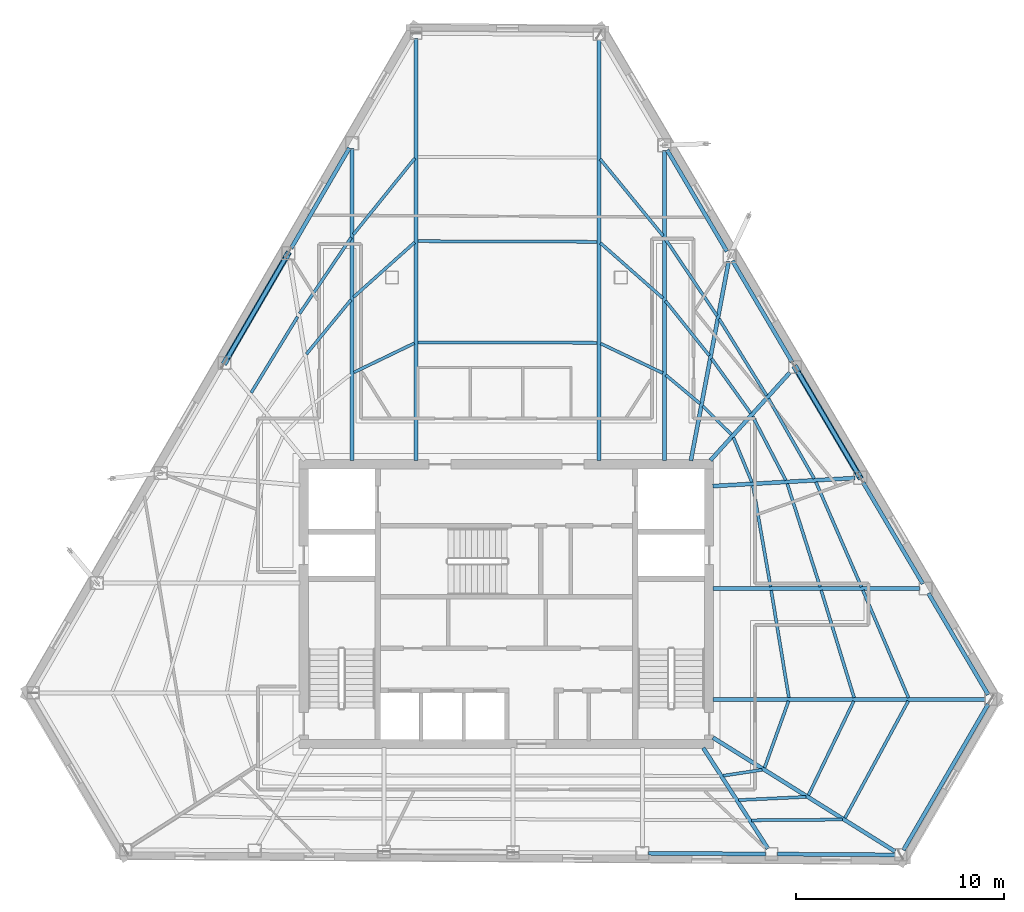
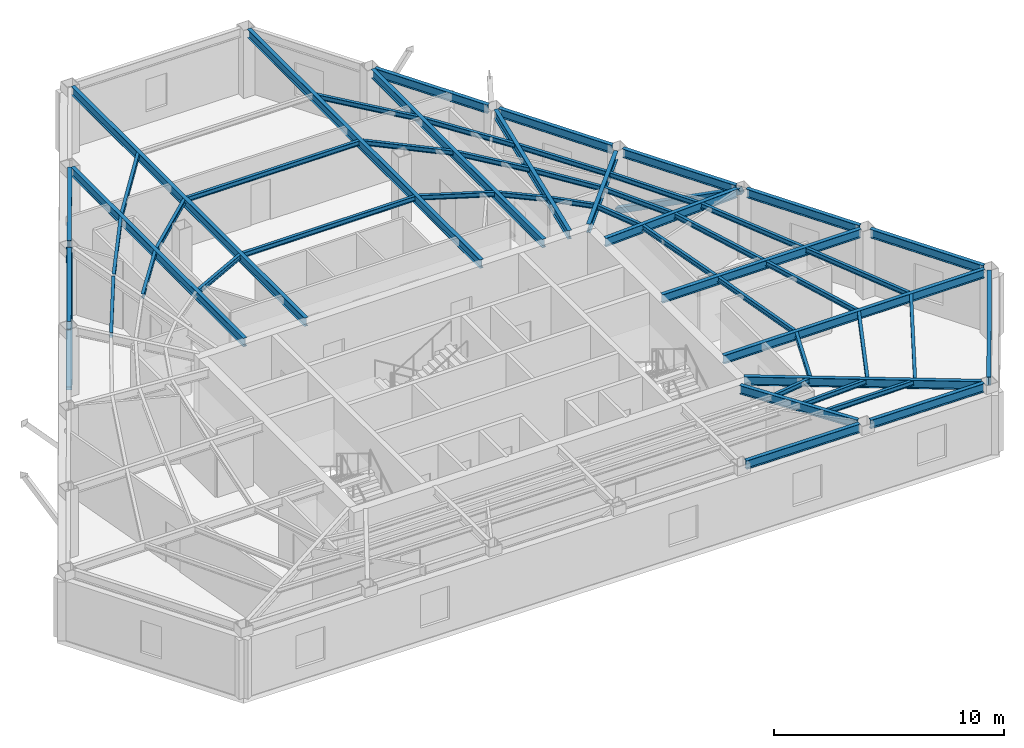
# One storey, part 2 of 11: 53 beams, 2 members.
"""IFC4 building model written with IfcOpenShell, lengths in metres."""

import ifcopenshell
import ifcopenshell.guid

model = None  # the IFC model being written
_history = None  # IfcOwnerHistory: only IFC2X3 demands one
_inside = {}  # id of a spatial element -> (the spatial element, [elements in it])
_under = {}  # id of a project, library or spatial element -> (it, [spatial elements below it])
_declared = {}  # id of a project -> (the project, [libraries it declares])
_typed = {}  # id of a type object -> (the type object, [elements of that type])
_made_of = {}  # id of a material, layer set ... -> (it, [elements and type objects made of it])


def new_model(schema):
    """Start an empty IFC model of exactly this schema.

    Asked for "IFC4X3", IfcOpenShell would pick the latest addendum, in which some entities
    have other attributes; the version numbers below select the first issue.
    IFC2X3 requires an IfcOwnerHistory on every rooted entity: one is made here for all.
    """
    global model, _history
    if schema == "IFC4X3":
        model = ifcopenshell.file(schema_version=(4, 3, 0, 0))
    else:
        model = ifcopenshell.file(schema=schema)
    _inside.clear()
    _under.clear()
    _declared.clear()
    _typed.clear()
    _made_of.clear()
    _history = None
    if model.schema == "IFC2X3":
        org = make("IfcOrganization", Name="unknown")
        user = make(
            "IfcPersonAndOrganization",
            ThePerson=make("IfcPerson", FamilyName="unknown"),
            TheOrganization=org,
        )
        app = make(
            "IfcApplication",
            ApplicationDeveloper=org,
            Version="unknown",
            ApplicationFullName="unknown",
            ApplicationIdentifier="unknown",
        )
        _history = make(
            "IfcOwnerHistory",
            OwningUser=user,
            OwningApplication=app,
            ChangeAction="ADDED",
            CreationDate=0,
        )
    return model


def make(cls, **values):
    """One entity of the class cls with the attributes given. An attribute that is None is left unset."""
    return model.create_entity(
        cls, **{name: value for name, value in values.items() if value is not None}
    )


def rooted(cls, **values):
    """An entity with a GlobalId (a new one), such as an element, a storey or a relation."""
    return make(cls, GlobalId=ifcopenshell.guid.new(), OwnerHistory=_history, **values)


def si_unit(unit_type, name, prefix=None):
    """IfcSIUnit, for example si_unit("LENGTHUNIT", "METRE", prefix="MILLI")."""
    return make("IfcSIUnit", UnitType=unit_type, Prefix=prefix, Name=name)


def assignment(units):
    """IfcUnitAssignment: the units of a project."""
    return None if units is None else make("IfcUnitAssignment", Units=units)


def point(xyz):
    """IfcCartesianPoint."""
    return None if xyz is None else make("IfcCartesianPoint", Coordinates=xyz)


def direction(xyz):
    """IfcDirection."""
    return None if xyz is None else make("IfcDirection", DirectionRatios=xyz)


def frame(location, z_axis=None, x_axis=None):
    """IfcAxis2Placement3D, a coordinate frame: its origin and axes. An axis left out is left unset."""
    return make(
        "IfcAxis2Placement3D",
        Location=point(location),
        Axis=direction(z_axis),
        RefDirection=direction(x_axis),
    )


def frame_2d(location, x_axis=None):
    """IfcAxis2Placement2D, a coordinate frame in the plane: its origin and x axis."""
    return make(
        "IfcAxis2Placement2D", Location=point(location), RefDirection=direction(x_axis)
    )


def origin():
    """The frame at (0, 0, 0) with its axes left unset."""
    return frame((0.0, 0.0, 0.0))


def origin_2d():
    """The frame at (0, 0) in the plane with its x axis left unset."""
    return frame_2d((0.0, 0.0))


def place(relative_to, where):
    """IfcLocalPlacement: puts the frame where relative to a parent placement (None: the world)."""
    return make(
        "IfcLocalPlacement", PlacementRelTo=relative_to, RelativePlacement=where
    )


def context(
    kind, dimensions, precision=None, world=None, true_north=None, identifier=None
):
    """IfcGeometricRepresentationContext, for example the 3D "Model" context."""
    return make(
        "IfcGeometricRepresentationContext",
        ContextIdentifier=identifier,
        ContextType=kind,
        CoordinateSpaceDimension=dimensions,
        Precision=precision,
        WorldCoordinateSystem=world,
        TrueNorth=true_north,
    )


def subcontext(parent, identifier, kind, view, scale=None):
    """IfcGeometricRepresentationSubContext, for example "Body" below "Model"."""
    return make(
        "IfcGeometricRepresentationSubContext",
        ContextIdentifier=identifier,
        ContextType=kind,
        ParentContext=parent,
        TargetScale=scale,
        TargetView=view,
    )


def project(units=None, contexts=None):
    """IfcProject with its units and contexts."""
    return rooted(
        "IfcProject",
        Name="project",
        RepresentationContexts=contexts,
        UnitsInContext=assignment(units),
    )


def spatial(cls, under=None, at=None, **own):
    """A site, building, storey or space (cls), placed at a placement, below another one or the project."""
    s = rooted(cls, ObjectPlacement=at, **own)
    if under is not None:
        _under.setdefault(under.id(), (under, []))[1].append(s)
    return s


def profile(cls, at=None, kind="AREA", **sizes):
    """A parametric profile (cls). Its sizes go by their IFC names, for example OverallWidth=200.0."""
    return make(cls, ProfileType=kind, Position=at, **sizes)


def hollow_rectangle(**sizes):
    """IfcRectangleHollowProfileDef."""
    return profile("IfcRectangleHollowProfileDef", **sizes)


def i_section(**sizes):
    """IfcIShapeProfileDef."""
    return profile("IfcIShapeProfileDef", **sizes)


def extrude(swept, where, along, depth):
    """IfcExtrudedAreaSolid: the profile swept, set in the frame where, extruded along a direction by depth."""
    return make(
        "IfcExtrudedAreaSolid",
        SweptArea=swept,
        Position=where,
        ExtrudedDirection=direction(along),
        Depth=depth,
    )


def shape(context_of_items, identifier, shape_type, items):
    """IfcShapeRepresentation: the items that make up one representation, for example the "Body"."""
    return make(
        "IfcShapeRepresentation",
        ContextOfItems=context_of_items,
        RepresentationIdentifier=identifier,
        RepresentationType=shape_type,
        Items=items,
    )


def material(Name=None, Category=None):
    """IfcMaterial."""
    return make("IfcMaterial", Name=Name, Category=Category)


def material_profile(
    of_material, cross_section, Name=None, Category=None, Priority=None
):
    """IfcMaterialProfile: a cross section and its material."""
    return make(
        "IfcMaterialProfile",
        Name=Name,
        Material=of_material,
        Profile=cross_section,
        Priority=Priority,
        Category=Category,
    )


def profile_set(profiles, Name=None, composite=None):
    """IfcMaterialProfileSet."""
    return make(
        "IfcMaterialProfileSet",
        Name=Name,
        MaterialProfiles=profiles,
        CompositeProfile=composite,
    )


def made_of(thing, what):
    """Note that an element or type object is made of a material, layer set ...; save() writes the relation."""
    if what is not None:
        _made_of.setdefault(what.id(), (what, []))[1].append(thing)
    return thing


def type_object(cls, material=None, **own):
    """A type object (cls), such as IfcWallType, which elements share."""
    return made_of(rooted(cls, **own), material)


def element(
    cls,
    number,
    at=None,
    inside=None,
    cuts=None,
    type_object=None,
    material=None,
    context=None,
    identifier="Body",
    shape_type=None,
    held_by="IfcProductDefinitionShape",
    body=None,
    shapes=None,
    **own,
):
    """One element of the class cls, such as IfcWall. Its Tag is "e" and its number.

    at: its placement. inside: the storey or other place that contains it. cuts: it is an
    opening in that element (IfcRelVoidsElement). A single representation is given by context,
    identifier, shape_type and body (its items); several are given by shapes. held_by: the class
    of the entity that holds the representations. save() writes the other relations.
    """
    e = rooted(cls, Tag="e%d" % number, ObjectPlacement=at, **own)
    if body is not None:
        shapes = [shape(context, identifier, shape_type, body)]
    if shapes is not None:
        e.Representation = make(held_by, Representations=shapes)
    if inside is not None:
        _inside.setdefault(inside.id(), (inside, []))[1].append(e)
    if cuts is not None:
        rooted(
            "IfcRelVoidsElement", RelatingBuildingElement=cuts, RelatedOpeningElement=e
        )
    if type_object is not None:
        _typed.setdefault(type_object.id(), (type_object, []))[1].append(e)
    return made_of(e, material)


def aggregate(whole, parts):
    """IfcRelAggregates: a whole, such as a stair, and the parts it consists of."""
    return rooted("IfcRelAggregates", RelatingObject=whole, RelatedObjects=parts)


def save(model, path):
    """Write the relations noted so far, then the file.

    IfcRelAggregates (storeys below a building ...), IfcRelContainedInSpatialStructure (elements
    in a storey), IfcRelDefinesByType, IfcRelAssociatesMaterial and IfcRelDeclares: one each for
    every whole, place, type object, material and project.
    """
    for whole, parts in _under.values():
        aggregate(whole, parts)
    for where, things in _inside.values():
        rooted(
            "IfcRelContainedInSpatialStructure",
            RelatedElements=things,
            RelatingStructure=where,
        )
    for kind, things in _typed.values():
        rooted("IfcRelDefinesByType", RelatedObjects=things, RelatingType=kind)
    for what, things in _made_of.values():
        rooted("IfcRelAssociatesMaterial", RelatedObjects=things, RelatingMaterial=what)
    for by, libraries in _declared.values():
        rooted("IfcRelDeclares", RelatingContext=by, RelatedDefinitions=libraries)
    model.write(path)


model = new_model("IFC4")

# Units and contexts
model_context = context("Model", 3, precision=1e-05, world=origin(), true_north=direction((0.0, 1.0)))
body_context = subcontext(model_context, "Body", "Model", "MODEL_VIEW")
ifc_project = project(units=[si_unit("LENGTHUNIT", "METRE"), si_unit("AREAUNIT", "SQUARE_METRE"), si_unit("VOLUMEUNIT", "CUBIC_METRE"), si_unit("PLANEANGLEUNIT", "RADIAN"), si_unit("MASSUNIT", "GRAM", prefix="KILO")], contexts=[model_context])

# Site, building, storey
site_placement = place(None, origin())
site = spatial("IfcSite", under=ifc_project, at=site_placement, CompositionType="ELEMENT")
building_placement = place(site_placement, origin())
building = spatial("IfcBuilding", under=site, at=building_placement, Name="Kavelnor Concourse Tower", CompositionType="ELEMENT")
storey_placement = place(building_placement, frame((0.0, 0.0, 195.800048828125)))
storey = spatial("IfcBuildingStorey", under=building, at=storey_placement, Name="L49", CompositionType="ELEMENT", Elevation=195.800048828125)

# Beams
ifc_material = material(Name="Steel Grade 350", Category="steel")
ifc_material_profile_1 = material_profile(ifc_material, i_section(OverallWidth=0.14599609375, OverallDepth=0.256103515625, WebThickness=0.00634765625, FlangeThickness=0.010986328125, at=origin_2d()), Name="250UB37")
ifc_profile_set_1 = profile_set([ifc_material_profile_1], Name="Steel Grade 350")
beam_type_1 = type_object("IfcBeamType", Name="BM-JOIST-250", PredefinedType="JOIST", material=ifc_profile_set_1)
beam_1_placement = place(storey_placement, frame((48.41748046875, 7.852294921875, 3.471923828125), z_axis=(0.988484671051, 0.151321033227, 0.0), x_axis=(-0.151321033227, 0.988484671051, 0.0)))
element("IfcBeam", 1, at=beam_1_placement, inside=storey, type_object=beam_type_1, Name="L49 Secondary Composite Joist 07-1", PredefinedType="JOIST", context=body_context, shape_type="SweptSolid", body=[
    extrude(i_section(OverallWidth=0.14599609375, OverallDepth=0.256103515625, WebThickness=0.00634765625, FlangeThickness=0.010986328125, at=origin_2d()), origin(), (0.0, 0.0, 1.0), 1.89404296875),
])
beam_2_placement = place(storey_placement, frame((49.16455078125, 6.681640625, 3.471923828125), z_axis=(0.998865056782, 0.04762980516, 0.0), x_axis=(-0.04762980516, 0.998865056782, 0.0)))
element("IfcBeam", 2, at=beam_2_placement, inside=storey, type_object=beam_type_1, Name="L49 Secondary Composite Joist 07-2", PredefinedType="JOIST", context=body_context, shape_type="SweptSolid", body=[
    extrude(i_section(OverallWidth=0.14599609375, OverallDepth=0.256103515625, WebThickness=0.00634765625, FlangeThickness=0.010986328125, at=origin_2d()), origin(), (0.0, 0.0, 1.0), 3.229248046875),
])
beam_3_placement = place(storey_placement, frame((49.78662109375, 5.71044921875, 3.471923828125), z_axis=(0.99996875761, 0.007904669778, 0.0), x_axis=(-0.007904669778, 0.99996875761, 0.0)))
element("IfcBeam", 3, at=beam_3_placement, inside=storey, type_object=beam_type_1, Name="L49 Secondary Composite Joist 07-3", PredefinedType="JOIST", context=body_context, shape_type="SweptSolid", body=[
    extrude(i_section(OverallWidth=0.14599609375, OverallDepth=0.256103515625, WebThickness=0.00634765625, FlangeThickness=0.010986328125, at=origin_2d()), origin(), (0.0, 0.0, 1.0), 4.35498046875),
])
beam_4_placement = place(storey_placement, frame((50.407958984375, 8.236083984375, 3.471923828125), z_axis=(0.338498474692, 0.940966940244, 0.0), x_axis=(-0.940966940244, 0.338498474692, 0.0)))
element("IfcBeam", 4, at=beam_4_placement, inside=storey, type_object=beam_type_1, Name="L49 Secondary Composite Joist 08-1", PredefinedType="JOIST", context=body_context, shape_type="SweptSolid", body=[
    extrude(i_section(OverallWidth=0.14599609375, OverallDepth=0.256103515625, WebThickness=0.00634765625, FlangeThickness=0.010986328125, at=origin_2d()), origin(), (0.0, 0.0, 1.0), 3.403564453125),
])
beam_5_placement = place(storey_placement, frame((52.517822265625, 6.919921875, 3.471923828125), z_axis=(0.434191373065, 0.90082065449, 0.0), x_axis=(-0.90082065449, 0.434191373065, 0.0)))
element("IfcBeam", 5, at=beam_5_placement, inside=storey, type_object=beam_type_1, Name="L49 Secondary Composite Joist 08-2", PredefinedType="JOIST", context=body_context, shape_type="SweptSolid", body=[
    extrude(i_section(OverallWidth=0.14599609375, OverallDepth=0.256103515625, WebThickness=0.00634765625, FlangeThickness=0.010986328125, at=origin_2d()), origin(), (0.0, 0.0, 1.0), 5.02001953125),
])
beam_6_placement = place(storey_placement, frame((54.272705078125, 5.823974609375, 3.471923828125), z_axis=(0.476071460594, 0.879406597887, 0.0), x_axis=(-0.879406597887, 0.476071460594, 0.0)))
element("IfcBeam", 6, at=beam_6_placement, inside=storey, type_object=beam_type_1, Name="L49 Secondary Composite Joist 08-3", PredefinedType="JOIST", context=body_context, shape_type="SweptSolid", body=[
    extrude(i_section(OverallWidth=0.14599609375, OverallDepth=0.256103515625, WebThickness=0.00634765625, FlangeThickness=0.010986328125, at=origin_2d()), origin(), (0.0, 0.0, 1.0), 6.390869140625),
])
beam_7_placement = place(storey_placement, frame((51.57568359375, 11.610107421875, 3.471923828125), z_axis=(-0.162836569289, 0.986653055386, 0.0), x_axis=(-0.986653055386, -0.162836569289, 0.0)))
element("IfcBeam", 7, at=beam_7_placement, inside=storey, type_object=beam_type_1, Name="L49 Secondary Composite Joist 09-1", PredefinedType="JOIST", context=body_context, shape_type="SweptSolid", body=[
    extrude(i_section(OverallWidth=0.14599609375, OverallDepth=0.256103515625, WebThickness=0.00634765625, FlangeThickness=0.010986328125, at=origin_2d()), origin(), (0.0, 0.0, 1.0), 5.220458984375),
])
beam_8_placement = place(storey_placement, frame((54.7099609375, 11.607421875, 3.471923828125), z_axis=(-0.293032714628, 0.956102415099, 0.0), x_axis=(-0.956102415099, -0.293032714628, 0.0)))
element("IfcBeam", 8, at=beam_8_placement, inside=storey, type_object=beam_type_1, Name="L49 Secondary Composite Joist 09-2", PredefinedType="JOIST", context=body_context, shape_type="SweptSolid", body=[
    extrude(i_section(OverallWidth=0.14599609375, OverallDepth=0.256103515625, WebThickness=0.00634765625, FlangeThickness=0.010986328125, at=origin_2d()), origin(), (0.0, 0.0, 1.0), 5.39306640625),
])
beam_9_placement = place(storey_placement, frame((57.32275390625, 11.604248046875, 3.471923828125), z_axis=(-0.390622513734, 0.920550950119, 0.0), x_axis=(-0.920550950119, -0.390622513734, 0.0)))
element("IfcBeam", 9, at=beam_9_placement, inside=storey, type_object=beam_type_1, Name="L49 Secondary Composite Joist 09-3", PredefinedType="JOIST", context=body_context, shape_type="SweptSolid", body=[
    extrude(i_section(OverallWidth=0.14599609375, OverallDepth=0.256103515625, WebThickness=0.00634765625, FlangeThickness=0.010986328125, at=origin_2d()), origin(), (0.0, 0.0, 1.0), 5.608154296875),
])
beam_10_placement = place(storey_placement, frame((50.69580078125, 16.936279296875, 3.471923828125), z_axis=(-0.172036864506, 0.985090512212, 0.0), x_axis=(-0.985090512212, -0.172036864506, 0.0)))
element("IfcBeam", 10, at=beam_10_placement, inside=storey, type_object=beam_type_1, Name="L49 Secondary Composite Joist 10-1", PredefinedType="JOIST", context=body_context, shape_type="SweptSolid", body=[
    extrude(i_section(OverallWidth=0.14599609375, OverallDepth=0.256103515625, WebThickness=0.00634765625, FlangeThickness=0.010986328125, at=origin_2d()), origin(), (0.0, 0.0, 1.0), 4.931396484375),
])
beam_11_placement = place(storey_placement, frame((53.07666015625, 16.93359375, 3.471923828125), z_axis=(-0.303484552269, 0.952836358739, 0.0), x_axis=(-0.952836358739, -0.303484552269, 0.0)))
element("IfcBeam", 11, at=beam_11_placement, inside=storey, type_object=beam_type_1, Name="L49 Secondary Composite Joist 10-2", PredefinedType="JOIST", context=body_context, shape_type="SweptSolid", body=[
    extrude(i_section(OverallWidth=0.14599609375, OverallDepth=0.256103515625, WebThickness=0.00634765625, FlangeThickness=0.010986328125, at=origin_2d()), origin(), (0.0, 0.0, 1.0), 5.20166015625),
])
beam_12_placement = place(storey_placement, frame((55.061767578125, 16.930419921875, 3.471923828125), z_axis=(-0.398440163585, 0.917194328396, 0.0), x_axis=(-0.917194328396, -0.398440163585, 0.0)))
element("IfcBeam", 12, at=beam_12_placement, inside=storey, type_object=beam_type_1, Name="L49 Secondary Composite Joist 10-3", PredefinedType="JOIST", context=body_context, shape_type="SweptSolid", body=[
    extrude(i_section(OverallWidth=0.14599609375, OverallDepth=0.256103515625, WebThickness=0.00634765625, FlangeThickness=0.010986328125, at=origin_2d()), origin(), (0.0, 0.0, 1.0), 5.4951171875),
])
beam_13_placement = place(storey_placement, frame((49.798095703125, 21.964111328125, 3.471923828125), z_axis=(-0.382726229306, 0.923861804277, 0.0), x_axis=(-0.923861804277, -0.382726229306, 0.0)))
element("IfcBeam", 13, at=beam_13_placement, inside=storey, type_object=beam_type_1, Name="L49 Secondary Composite Joist 11-1", PredefinedType="JOIST", context=body_context, shape_type="SweptSolid", body=[
    extrude(i_section(OverallWidth=0.14599609375, OverallDepth=0.256103515625, WebThickness=0.00634765625, FlangeThickness=0.010986328125, at=origin_2d()), origin(), (0.0, 0.0, 1.0), 2.322509765625),
])
beam_14_placement = place(storey_placement, frame((51.429931640625, 22.0537109375, 3.471923828125), z_axis=(-0.461175132199, 0.887309132964, 0.0), x_axis=(-0.887309132964, -0.461175132199, 0.0)))
element("IfcBeam", 14, at=beam_14_placement, inside=storey, type_object=beam_type_1, Name="L49 Secondary Composite Joist 11-2", PredefinedType="JOIST", context=body_context, shape_type="SweptSolid", body=[
    extrude(i_section(OverallWidth=0.14599609375, OverallDepth=0.256103515625, WebThickness=0.00634765625, FlangeThickness=0.010986328125, at=origin_2d()), origin(), (0.0, 0.0, 1.0), 3.462646484375),
])
beam_15_placement = place(storey_placement, frame((52.792724609375, 22.12939453125, 3.471923828125), z_axis=(-0.49565155399, 0.868521466071, 0.0), x_axis=(-0.868521466071, -0.49565155399, 0.0)))
element("IfcBeam", 15, at=beam_15_placement, inside=storey, type_object=beam_type_1, Name="L49 Secondary Composite Joist 11-3", PredefinedType="JOIST", context=body_context, shape_type="SweptSolid", body=[
    extrude(i_section(OverallWidth=0.14599609375, OverallDepth=0.256103515625, WebThickness=0.00634765625, FlangeThickness=0.010986328125, at=origin_2d()), origin(), (0.0, 0.0, 1.0), 4.42431640625),
])
beam_16_placement = place(storey_placement, frame((48.81201171875, 24.254638671875, 3.471923828125), z_axis=(-0.710191652831, 0.704008392172, 0.0), x_axis=(-0.704008392172, -0.710191652831, 0.0)))
element("IfcBeam", 16, at=beam_16_placement, inside=storey, type_object=beam_type_1, Name="L49 Secondary Composite Joist 12-1", PredefinedType="JOIST", context=body_context, shape_type="SweptSolid", body=[
    extrude(i_section(OverallWidth=0.14599609375, OverallDepth=0.256103515625, WebThickness=0.00634765625, FlangeThickness=0.010986328125, at=origin_2d()), origin(), (0.0, 0.0, 1.0), 1.934814453125),
])
beam_17_placement = place(storey_placement, frame((49.739990234375, 25.27734375, 3.471923828125), z_axis=(-0.581853321385, 0.813293742994, 0.0), x_axis=(-0.813293742994, -0.581853321385, 0.0)))
element("IfcBeam", 17, at=beam_17_placement, inside=storey, type_object=beam_type_1, Name="L49 Secondary Composite Joist 12-2", PredefinedType="JOIST", context=body_context, shape_type="SweptSolid", body=[
    extrude(i_section(OverallWidth=0.14599609375, OverallDepth=0.256103515625, WebThickness=0.00634765625, FlangeThickness=0.010986328125, at=origin_2d()), origin(), (0.0, 0.0, 1.0), 3.22802734375),
])
beam_18_placement = place(storey_placement, frame((50.5087890625, 26.124755859375, 3.471923828125), z_axis=(-0.527316656291, 0.849668843726, 0.0), x_axis=(-0.849668843726, -0.527316656291, 0.0)))
element("IfcBeam", 18, at=beam_18_placement, inside=storey, type_object=beam_type_1, Name="L49 Secondary Composite Joist 12-3", PredefinedType="JOIST", context=body_context, shape_type="SweptSolid", body=[
    extrude(i_section(OverallWidth=0.14599609375, OverallDepth=0.256103515625, WebThickness=0.00634765625, FlangeThickness=0.010986328125, at=origin_2d()), origin(), (0.0, 0.0, 1.0), 4.340576171875),
])
beam_19_placement = place(storey_placement, frame((47.306396484375, 25.736328125, 3.471923828125), z_axis=(-0.767241678804, 0.641358095221, 0.0), x_axis=(-0.641358095221, -0.767241678804, 0.0)))
element("IfcBeam", 19, at=beam_19_placement, inside=storey, type_object=beam_type_1, Name="L49 Secondary Composite Joist 13-1", PredefinedType="JOIST", context=body_context, shape_type="SweptSolid", body=[
    extrude(i_section(OverallWidth=0.14599609375, OverallDepth=0.256103515625, WebThickness=0.00634765625, FlangeThickness=0.010986328125, at=origin_2d()), origin(), (0.0, 0.0, 1.0), 2.14697265625),
])
beam_20_placement = place(storey_placement, frame((47.75439453125, 28.044677734375, 3.471923828125), z_axis=(-0.625313109654, 0.780373958365, 0.0), x_axis=(-0.780373958365, -0.625313109654, 0.0)))
element("IfcBeam", 20, at=beam_20_placement, inside=storey, type_object=beam_type_1, Name="L49 Secondary Composite Joist 13-2", PredefinedType="JOIST", context=body_context, shape_type="SweptSolid", body=[
    extrude(i_section(OverallWidth=0.14599609375, OverallDepth=0.256103515625, WebThickness=0.00634765625, FlangeThickness=0.010986328125, at=origin_2d()), origin(), (0.0, 0.0, 1.0), 3.370849609375),
])
beam_21_placement = place(storey_placement, frame((48.123291015625, 29.962158203125, 3.471923828125), z_axis=(-0.558458497857, 0.829532462398, 0.0), x_axis=(-0.829532462398, -0.558458497857, 0.0)))
element("IfcBeam", 21, at=beam_21_placement, inside=storey, type_object=beam_type_1, Name="L49 Secondary Composite Joist 13-3", PredefinedType="JOIST", context=body_context, shape_type="SweptSolid", body=[
    extrude(i_section(OverallWidth=0.14599609375, OverallDepth=0.256103515625, WebThickness=0.00634765625, FlangeThickness=0.010986328125, at=origin_2d()), origin(), (0.0, 0.0, 1.0), 4.445556640625),
])
beam_22_placement = place(storey_placement, frame((45.510498046875, 27.20849609375, 3.471923828125), z_axis=(-0.903248808832, 0.429117220983, 0.0), x_axis=(-0.429117220983, -0.903248808832, 0.0)))
element("IfcBeam", 22, at=beam_22_placement, inside=storey, type_object=beam_type_1, Name="L49 Secondary Composite Joist 14-1", PredefinedType="JOIST", context=body_context, shape_type="SweptSolid", body=[
    extrude(i_section(OverallWidth=0.14599609375, OverallDepth=0.256103515625, WebThickness=0.00634765625, FlangeThickness=0.010986328125, at=origin_2d()), origin(), (0.0, 0.0, 1.0), 3.297607421875),
])
beam_23_placement = place(storey_placement, frame((45.524169921875, 30.8037109375, 3.471923828125), z_axis=(-0.749884066839, 0.661569260396, 0.0), x_axis=(-0.661569260396, -0.749884066839, 0.0)))
element("IfcBeam", 23, at=beam_23_placement, inside=storey, type_object=beam_type_1, Name="L49 Secondary Composite Joist 14-2", PredefinedType="JOIST", context=body_context, shape_type="SweptSolid", body=[
    extrude(i_section(OverallWidth=0.14599609375, OverallDepth=0.256103515625, WebThickness=0.00634765625, FlangeThickness=0.010986328125, at=origin_2d()), origin(), (0.0, 0.0, 1.0), 4.008544921875),
])
beam_24_placement = place(storey_placement, frame((45.534423828125, 33.79248046875, 3.471923828125), z_axis=(-0.633435323407, 0.77379563908, 0.0), x_axis=(-0.77379563908, -0.633435323407, 0.0)))
element("IfcBeam", 24, at=beam_24_placement, inside=storey, type_object=beam_type_1, Name="L49 Secondary Composite Joist 14-3", PredefinedType="JOIST", context=body_context, shape_type="SweptSolid", body=[
    extrude(i_section(OverallWidth=0.14599609375, OverallDepth=0.256103515625, WebThickness=0.00634765625, FlangeThickness=0.010986328125, at=origin_2d()), origin(), (0.0, 0.0, 1.0), 4.778076171875),
])
for number, where, z_axis, x_axis, name in (
    (25, (42.362548828125, 28.661865234375, 3.471923828125), (-0.999998356649, 0.001812925467, 0.0), (-0.001812925467, -0.999998356649, 0.0), "L49 Secondary Composite Joist 15-1"),
    (26, (42.362548828125, 33.514892578125, 3.471923828125), (-0.999994222631, 0.003399221198, 0.0), (-0.003399221198, -0.999994222631, 0.0), "L49 Secondary Composite Joist 15-2"),
):
    element("IfcBeam", number, at=place(storey_placement, frame(where, z_axis=z_axis, x_axis=x_axis)), inside=storey, type_object=beam_type_1, Name=name, PredefinedType="JOIST", context=body_context, shape_type="SweptSolid", body=[
        extrude(i_section(OverallWidth=0.14599609375, OverallDepth=0.256103515625, WebThickness=0.00634765625, FlangeThickness=0.010986328125, at=origin_2d()), origin(), (0.0, 0.0, 1.0), 8.61865234375),
    ])
beam_25_placement = place(storey_placement, frame((33.57470703125, 28.63916015625, 3.471923828125), z_axis=(-0.900734334697, -0.434370416002, 0.0), x_axis=(0.434370416002, -0.900734334697, 0.0)))
element("IfcBeam", 27, at=beam_25_placement, inside=storey, type_object=beam_type_1, Name="L49 Secondary Composite Joist 16-1", PredefinedType="JOIST", context=body_context, shape_type="SweptSolid", body=[
    extrude(i_section(OverallWidth=0.14599609375, OverallDepth=0.256103515625, WebThickness=0.00634765625, FlangeThickness=0.010986328125, at=origin_2d()), origin(), (0.0, 0.0, 1.0), 3.227783203125),
])
beam_26_placement = place(storey_placement, frame((33.58837890625, 33.485107421875, 3.471923828125), z_axis=(-0.744887939325, -0.667189596627, 0.0), x_axis=(0.667189596627, -0.744887939325, 0.0)))
element("IfcBeam", 28, at=beam_26_placement, inside=storey, type_object=beam_type_1, Name="L49 Secondary Composite Joist 16-2", PredefinedType="JOIST", context=body_context, shape_type="SweptSolid", body=[
    extrude(i_section(OverallWidth=0.14599609375, OverallDepth=0.256103515625, WebThickness=0.00634765625, FlangeThickness=0.010986328125, at=origin_2d()), origin(), (0.0, 0.0, 1.0), 3.940185546875),
])
beam_27_placement = place(storey_placement, frame((33.598876953125, 37.53076171875, 3.471923828125), z_axis=(-0.627725090597, -0.778435103676, 0.0), x_axis=(0.778435103676, -0.627725090597, 0.0)))
element("IfcBeam", 29, at=beam_27_placement, inside=storey, type_object=beam_type_1, Name="L49 Secondary Composite Joist 16-3", PredefinedType="JOIST", context=body_context, shape_type="SweptSolid", body=[
    extrude(i_section(OverallWidth=0.14599609375, OverallDepth=0.256103515625, WebThickness=0.00634765625, FlangeThickness=0.010986328125, at=origin_2d()), origin(), (0.0, 0.0, 1.0), 4.709228515625),
])
beam_28_placement = place(storey_placement, frame((30.530517578125, 30.72802734375, 3.471923828125), z_axis=(-0.634477260198, -0.772941528378, 0.0), x_axis=(0.772941528378, -0.634477260198, 0.0)))
element("IfcBeam", 30, at=beam_28_placement, inside=storey, type_object=beam_type_1, Name="L49 Secondary Composite Joist 17-2", PredefinedType="JOIST", context=body_context, shape_type="SweptSolid", body=[
    extrude(i_section(OverallWidth=0.14599609375, OverallDepth=0.256103515625, WebThickness=0.00634765625, FlangeThickness=0.010986328125, at=origin_2d()), origin(), (0.0, 0.0, 1.0), 3.37646484375),
])
beam_29_placement = place(storey_placement, frame((30.537109375, 33.72216796875, 3.471923828125), z_axis=(-0.5606305619, -0.828066043902, 0.0), x_axis=(0.828066043902, -0.5606305619, 0.0)))
element("IfcBeam", 31, at=beam_29_placement, inside=storey, type_object=beam_type_1, Name="L49 Secondary Composite Joist 17-3", PredefinedType="JOIST", context=body_context, shape_type="SweptSolid", body=[
    extrude(i_section(OverallWidth=0.14599609375, OverallDepth=0.256103515625, WebThickness=0.00634765625, FlangeThickness=0.010986328125, at=origin_2d()), origin(), (0.0, 0.0, 1.0), 4.41650390625),
])
beam_30_placement = place(storey_placement, frame((27.964599609375, 29.915283203125, 3.471923828125), z_axis=(-0.520536464204, -0.853839440079, 0.0), x_axis=(0.853839440079, -0.520536464204, 0.0)))
element("IfcBeam", 32, at=beam_30_placement, inside=storey, type_object=beam_type_1, Name="L49 Secondary Composite Joist 18-3", PredefinedType="JOIST", context=body_context, shape_type="SweptSolid", body=[
    extrude(i_section(OverallWidth=0.14599609375, OverallDepth=0.256103515625, WebThickness=0.00634765625, FlangeThickness=0.010986328125, at=origin_2d()), origin(), (0.0, 0.0, 1.0), 4.2822265625),
])
ifc_material_profile_2 = material_profile(ifc_material, i_section(OverallWidth=0.18994140625, OverallDepth=0.4541015625, WebThickness=0.008544921875, FlangeThickness=0.0126953125, at=origin_2d()), Name="460UB67")
ifc_profile_set_2 = profile_set([ifc_material_profile_2], Name="Steel Grade 350")
beam_type_2 = type_object("IfcBeamType", Name="BM-PRIMARY-460", PredefinedType="BEAM", material=ifc_profile_set_2)
beam_31_placement = place(storey_placement, frame((33.65478515625, 23.0, 3.373046875), z_axis=(0.0, 1.0, 0.0), x_axis=(-1.0, 0.0, 0.0)))
element("IfcBeam", 33, at=beam_31_placement, inside=storey, type_object=beam_type_2, Name="L49 Primary Floor Girder F0-B0", PredefinedType="BEAM", context=body_context, shape_type="SweptSolid", body=[
    extrude(i_section(OverallWidth=0.18994140625, OverallDepth=0.4541015625, WebThickness=0.008544921875, FlangeThickness=0.0126953125, at=origin_2d()), origin(), (0.0, 0.0, 1.0), 20.27783203125),
])
beam_32_placement = place(storey_placement, frame((30.5869140625, 23.0, 3.373046875), z_axis=(0.0, 1.0, 0.0), x_axis=(-1.0, 0.0, 0.0)))
element("IfcBeam", 34, at=beam_32_placement, inside=storey, type_object=beam_type_2, Name="L49 Primary Floor Girder F0-B1", PredefinedType="BEAM", context=body_context, shape_type="SweptSolid", body=[
    extrude(i_section(OverallWidth=0.18994140625, OverallDepth=0.4541015625, WebThickness=0.008544921875, FlangeThickness=0.0126953125, at=origin_2d()), origin(), (0.0, 0.0, 1.0), 14.994140625),
])
beam_33_placement = place(storey_placement, frame((47.459228515625, 9.193603515625, 3.373046875), z_axis=(0.540504404675, -0.841341184376, 0.0), x_axis=(0.841341184376, 0.540504404675, 0.0)))
element("IfcBeam", 35, at=beam_33_placement, inside=storey, type_object=beam_type_2, Name="L49 Primary Floor Girder F1-B5", PredefinedType="BEAM", context=body_context, shape_type="SweptSolid", body=[
    extrude(i_section(OverallWidth=0.18994140625, OverallDepth=0.4541015625, WebThickness=0.008544921875, FlangeThickness=0.0126953125, at=origin_2d()), origin(), (0.0, 0.0, 1.0), 5.75146484375),
])
beam_34_placement = place(storey_placement, frame((47.926025390625, 9.68408203125, 3.373046875), z_axis=(0.848104569186, -0.529828877777, 0.0), x_axis=(0.529828877777, 0.848104569186, 0.0)))
element("IfcBeam", 36, at=beam_34_placement, inside=storey, type_object=beam_type_2, Name="L49 Primary Floor Girder F1-B6", PredefinedType="BEAM", context=body_context, shape_type="SweptSolid", body=[
    extrude(i_section(OverallWidth=0.18994140625, OverallDepth=0.4541015625, WebThickness=0.008544921875, FlangeThickness=0.0126953125, at=origin_2d()), origin(), (0.0, 0.0, 1.0), 10.323974609375),
])
beam_35_placement = place(storey_placement, frame((47.919921875, 11.5224609375, 3.373046875), z_axis=(1.0, 0.0, 0.0), x_axis=(0.0, 1.0, 0.0)))
element("IfcBeam", 37, at=beam_35_placement, inside=storey, type_object=beam_type_2, Name="L49 Primary Floor Girder F2-B0", PredefinedType="BEAM", context=body_context, shape_type="SweptSolid", body=[
    extrude(i_section(OverallWidth=0.18994140625, OverallDepth=0.4541015625, WebThickness=0.008544921875, FlangeThickness=0.0126953125, at=origin_2d()), origin(), (0.0, 0.0, 1.0), 13.10791015625),
])
beam_36_placement = place(storey_placement, frame((47.919921875, 16.8486328125, 3.373046875), z_axis=(1.0, 0.0, 0.0), x_axis=(0.0, 1.0, 0.0)))
element("IfcBeam", 38, at=beam_36_placement, inside=storey, type_object=beam_type_2, Name="L49 Primary Floor Girder F2-B1", PredefinedType="BEAM", context=body_context, shape_type="SweptSolid", body=[
    extrude(i_section(OverallWidth=0.18994140625, OverallDepth=0.4541015625, WebThickness=0.008544921875, FlangeThickness=0.0126953125, at=origin_2d()), origin(), (0.0, 0.0, 1.0), 9.968505859375),
])
beam_37_placement = place(storey_placement, frame((47.920166015625, 21.773681640625, 3.373046875), z_axis=(0.998400249303, 0.056541508577, 0.0), x_axis=(-0.056541508577, 0.998400249303, 0.0)))
element("IfcBeam", 39, at=beam_37_placement, inside=storey, type_object=beam_type_2, Name="L49 Primary Floor Girder F2-B2", PredefinedType="BEAM", context=body_context, shape_type="SweptSolid", body=[
    extrude(i_section(OverallWidth=0.18994140625, OverallDepth=0.4541015625, WebThickness=0.008544921875, FlangeThickness=0.0126953125, at=origin_2d()), origin(), (0.0, 0.0, 1.0), 6.839599609375),
])
beam_38_placement = place(storey_placement, frame((47.805908203125, 23.01025390625, 3.373046875), z_axis=(0.670948138961, 0.741504278359, 0.0), x_axis=(-0.741504278359, 0.670948138961, 0.0)))
element("IfcBeam", 40, at=beam_38_placement, inside=storey, type_object=beam_type_2, Name="L49 Primary Floor Girder F2-B3", PredefinedType="BEAM", context=body_context, shape_type="SweptSolid", body=[
    extrude(i_section(OverallWidth=0.18994140625, OverallDepth=0.4541015625, WebThickness=0.008544921875, FlangeThickness=0.0126953125, at=origin_2d()), origin(), (0.0, 0.0, 1.0), 5.692138671875),
])
beam_39_placement = place(storey_placement, frame((46.86669921875, 23.000732421875, 3.373046875), z_axis=(0.186327391568, 0.982487711451, 0.0), x_axis=(-0.982487711451, 0.186327391568, 0.0)))
element("IfcBeam", 41, at=beam_39_placement, inside=storey, type_object=beam_type_2, Name="L49 Primary Floor Girder F2-B4", PredefinedType="BEAM", context=body_context, shape_type="SweptSolid", body=[
    extrude(i_section(OverallWidth=0.18994140625, OverallDepth=0.4541015625, WebThickness=0.008544921875, FlangeThickness=0.0126953125, at=origin_2d()), origin(), (0.0, 0.0, 1.0), 9.736572265625),
])
beam_40_placement = place(storey_placement, frame((45.5908203125, 23.0, 3.373046875), z_axis=(0.0, 1.0, 0.0), x_axis=(-1.0, 0.0, 0.0)))
element("IfcBeam", 42, at=beam_40_placement, inside=storey, type_object=beam_type_2, Name="L49 Primary Floor Girder F2-B5", PredefinedType="BEAM", context=body_context, shape_type="SweptSolid", body=[
    extrude(i_section(OverallWidth=0.18994140625, OverallDepth=0.4541015625, WebThickness=0.008544921875, FlangeThickness=0.0126953125, at=origin_2d()), origin(), (0.0, 0.0, 1.0), 14.893798828125),
])
beam_41_placement = place(storey_placement, frame((42.451416015625, 23.0, 3.373046875), z_axis=(0.0, 1.0, 0.0), x_axis=(-1.0, 0.0, 0.0)))
element("IfcBeam", 43, at=beam_41_placement, inside=storey, type_object=beam_type_2, Name="L49 Primary Floor Girder F2-B6", PredefinedType="BEAM", context=body_context, shape_type="SweptSolid", body=[
    extrude(i_section(OverallWidth=0.18994140625, OverallDepth=0.4541015625, WebThickness=0.008544921875, FlangeThickness=0.0126953125, at=origin_2d()), origin(), (0.0, 0.0, 1.0), 20.22021484375),
])
ifc_material_profile_3 = material_profile(ifc_material, i_section(OverallWidth=0.19091796875, OverallDepth=0.4599609375, WebThickness=0.010009765625, FlangeThickness=0.01611328125, at=origin_2d()), Name="460UB82")
ifc_profile_set_3 = profile_set([ifc_material_profile_3], Name="Steel Grade 350")
beam_type_3 = type_object("IfcBeamType", Name="BM-SPANDREL-Z3", PredefinedType="SPANDREL", material=ifc_profile_set_3)
beam_42_placement = place(storey_placement, frame((30.453857421875, 38.02490234375, 3.369873046875), z_axis=(-0.502107015731, -0.86480549533, 0.0), x_axis=(0.86480549533, -0.502107015731, 0.0)))
element("IfcBeam", 44, at=beam_42_placement, inside=storey, type_object=beam_type_3, Name="L49 Perimeter Tube Spandrel Beam F0-B1", PredefinedType="SPANDREL", context=body_context, shape_type="SweptSolid", body=[
    extrude(i_section(OverallWidth=0.19091796875, OverallDepth=0.4599609375, WebThickness=0.010009765625, FlangeThickness=0.01611328125, at=origin_2d()), origin(), (0.0, 0.0, 1.0), 5.57958984375),
])
beam_43_placement = place(storey_placement, frame((27.385986328125, 32.7412109375, 3.369873046875), z_axis=(-0.502088016122, -0.864816526245, 0.0), x_axis=(0.864816526245, -0.502088016122, 0.0)))
element("IfcBeam", 45, at=beam_43_placement, inside=storey, type_object=beam_type_3, Name="L49 Perimeter Tube Spandrel Beam F0-B2", PredefinedType="SPANDREL", context=body_context, shape_type="SweptSolid", body=[
    extrude(i_section(OverallWidth=0.19091796875, OverallDepth=0.4599609375, WebThickness=0.010009765625, FlangeThickness=0.01611328125, at=origin_2d()), origin(), (0.0, 0.0, 1.0), 5.579833984375),
])
for number, where, z_axis, x_axis, name in (
    (46, (44.794921875, 4.127685546875, 3.369873046875), (0.999978086938, -0.006620093947, 0.0), (0.006620093947, 0.999978086938, 0.0), "L49 Perimeter Tube Spandrel Beam F1-B4"),
    (47, (51.00390625, 4.0869140625, 3.369873046875), (0.99997837059, -0.006577108189, 0.0), (0.006577108189, 0.99997837059, 0.0), "L49 Perimeter Tube Spandrel Beam F1-B5"),
):
    element("IfcBeam", number, at=place(storey_placement, frame(where, z_axis=z_axis, x_axis=x_axis)), inside=storey, type_object=beam_type_3, Name=name, PredefinedType="SPANDREL", context=body_context, shape_type="SweptSolid", body=[
        extrude(i_section(OverallWidth=0.19091796875, OverallDepth=0.4599609375, WebThickness=0.010009765625, FlangeThickness=0.01611328125, at=origin_2d()), origin(), (0.0, 0.0, 1.0), 5.679443359375),
    ])
beam_44_placement = place(storey_placement, frame((61.1533203125, 11.750732421875, 3.369873046875), z_axis=(-0.507791913584, 0.861479757451, 0.0), x_axis=(-0.861479757451, -0.507791913584, 0.0)))
element("IfcBeam", 48, at=beam_44_placement, inside=storey, type_object=beam_type_3, Name="L49 Perimeter Tube Spandrel Beam F2-B0", PredefinedType="SPANDREL", context=body_context, shape_type="SweptSolid", body=[
    extrude(i_section(OverallWidth=0.19091796875, OverallDepth=0.4599609375, WebThickness=0.010009765625, FlangeThickness=0.01611328125, at=origin_2d()), origin(), (0.0, 0.0, 1.0), 5.652587890625),
])
beam_45_placement = place(storey_placement, frame((58.013916015625, 17.076904296875, 3.369873046875), z_axis=(-0.50777302033, 0.86149089364, 0.0), x_axis=(-0.86149089364, -0.50777302033, 0.0)))
element("IfcBeam", 49, at=beam_45_placement, inside=storey, type_object=beam_type_3, Name="L49 Perimeter Tube Spandrel Beam F2-B1", PredefinedType="SPANDREL", context=body_context, shape_type="SweptSolid", body=[
    extrude(i_section(OverallWidth=0.19091796875, OverallDepth=0.4599609375, WebThickness=0.010009765625, FlangeThickness=0.01611328125, at=origin_2d()), origin(), (0.0, 0.0, 1.0), 5.65283203125),
])
beam_46_placement = place(storey_placement, frame((54.87451171875, 22.4033203125, 3.369873046875), z_axis=(-0.507759858738, 0.861498651104, 0.0), x_axis=(-0.861498651104, -0.507759858738, 0.0)))
element("IfcBeam", 50, at=beam_46_placement, inside=storey, type_object=beam_type_3, Name="L49 Perimeter Tube Spandrel Beam F2-B2", PredefinedType="SPANDREL", context=body_context, shape_type="SweptSolid", body=[
    extrude(i_section(OverallWidth=0.19091796875, OverallDepth=0.4599609375, WebThickness=0.010009765625, FlangeThickness=0.01611328125, at=origin_2d()), origin(), (0.0, 0.0, 1.0), 5.652587890625),
])
beam_47_placement = place(storey_placement, frame((51.735107421875, 27.7294921875, 3.369873046875), z_axis=(-0.507740965848, 0.861509786131, 0.0), x_axis=(-0.861509786131, -0.507740965848, 0.0)))
element("IfcBeam", 51, at=beam_47_placement, inside=storey, type_object=beam_type_3, Name="L49 Perimeter Tube Spandrel Beam F2-B3", PredefinedType="SPANDREL", context=body_context, shape_type="SweptSolid", body=[
    extrude(i_section(OverallWidth=0.19091796875, OverallDepth=0.4599609375, WebThickness=0.010009765625, FlangeThickness=0.01611328125, at=origin_2d()), origin(), (0.0, 0.0, 1.0), 5.65283203125),
])
beam_48_placement = place(storey_placement, frame((48.595703125, 33.055908203125, 3.369873046875), z_axis=(-0.507759858738, 0.861498651104, 0.0), x_axis=(-0.861498651104, -0.507759858738, 0.0)))
element("IfcBeam", 52, at=beam_48_placement, inside=storey, type_object=beam_type_3, Name="L49 Perimeter Tube Spandrel Beam F2-B4", PredefinedType="SPANDREL", context=body_context, shape_type="SweptSolid", body=[
    extrude(i_section(OverallWidth=0.19091796875, OverallDepth=0.4599609375, WebThickness=0.010009765625, FlangeThickness=0.01611328125, at=origin_2d()), origin(), (0.0, 0.0, 1.0), 5.652587890625),
])
beam_49_placement = place(storey_placement, frame((57.0810546875, 4.277099609375, 3.369873046875), z_axis=(0.502122449951, 0.864796534021, 0.0), x_axis=(-0.864796534021, 0.502122449951, 0.0)))
element("IfcBeam", 53, at=beam_49_placement, inside=storey, type_object=beam_type_3, Name="L49 Chamfer Facet Spandrel Beam C2", PredefinedType="SPANDREL", context=body_context, shape_type="SweptSolid", body=[
    extrude(i_section(OverallWidth=0.19091796875, OverallDepth=0.4599609375, WebThickness=0.010009765625, FlangeThickness=0.01611328125, at=origin_2d()), origin(), (0.0, 0.0, 1.0), 8.113037109375),
])

# Members
ifc_material_profile_4 = material_profile(ifc_material, hollow_rectangle(XDim=0.280029296875, YDim=0.280029296875, WallThickness=0.01611328125, at=origin_2d()), Name="SHS 280x280x16")
ifc_profile_set_4 = profile_set([ifc_material_profile_4], Name="Steel Grade 350")
member_type = type_object("IfcMemberType", Name="MBR-TUBE-DIAG-Z3", PredefinedType="BRACE", material=ifc_profile_set_4)
member_1_placement = place(storey_placement, frame((24.451416015625, 27.6865234375, 0.219970703125), z_axis=(0.446292132737, 0.768669475476, 0.458225457311), x_axis=(-0.864804618316, 0.502108526256, 0.0)))
element("IfcMember", 54, at=member_1_placement, inside=storey, type_object=member_type, Name="L49 Framed-Tube Bracing Diagonal F0-B2", PredefinedType="BRACE", context=body_context, shape_type="SweptSolid", body=[
    extrude(hollow_rectangle(XDim=0.280029296875, YDim=0.280029296875, WallThickness=0.01611328125, at=origin_2d()), origin(), (0.0, 0.0, 1.0), 6.8740234375),
])
member_2_placement = place(storey_placement, frame((51.86962890625, 27.501220703125, 0.219970703125), z_axis=(0.452447106155, -0.76760137397, 0.453960071826), x_axis=(0.861484172585, 0.507784423142, 0.0)))
element("IfcMember", 55, at=member_2_placement, inside=storey, type_object=member_type, Name="L49 Framed-Tube Bracing Diagonal F2-B2", PredefinedType="BRACE", context=body_context, shape_type="SweptSolid", body=[
    extrude(hollow_rectangle(XDim=0.280029296875, YDim=0.280029296875, WallThickness=0.01611328125, at=origin_2d()), origin(), (0.0, 0.0, 1.0), 6.938720703125),
])

save(model, "model.ifc")
